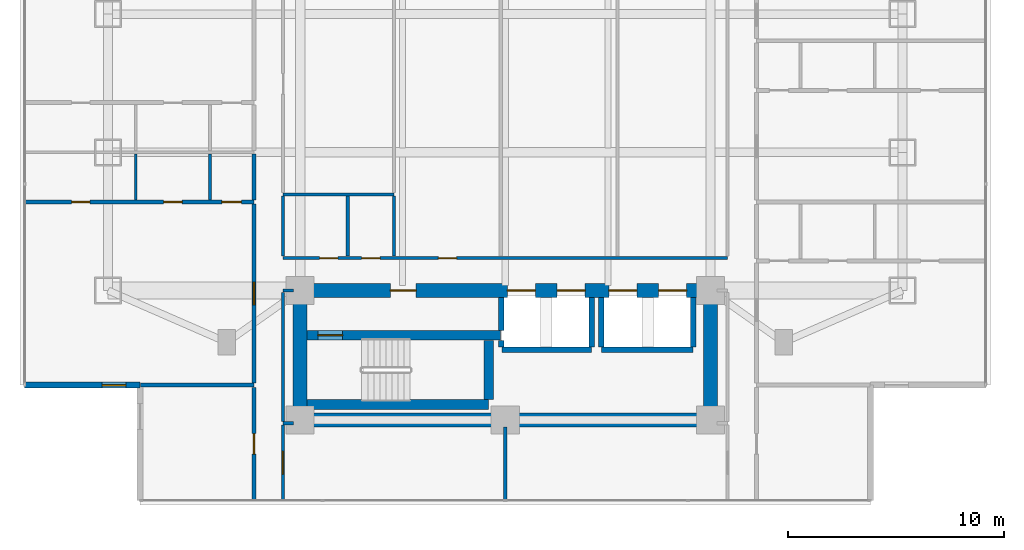
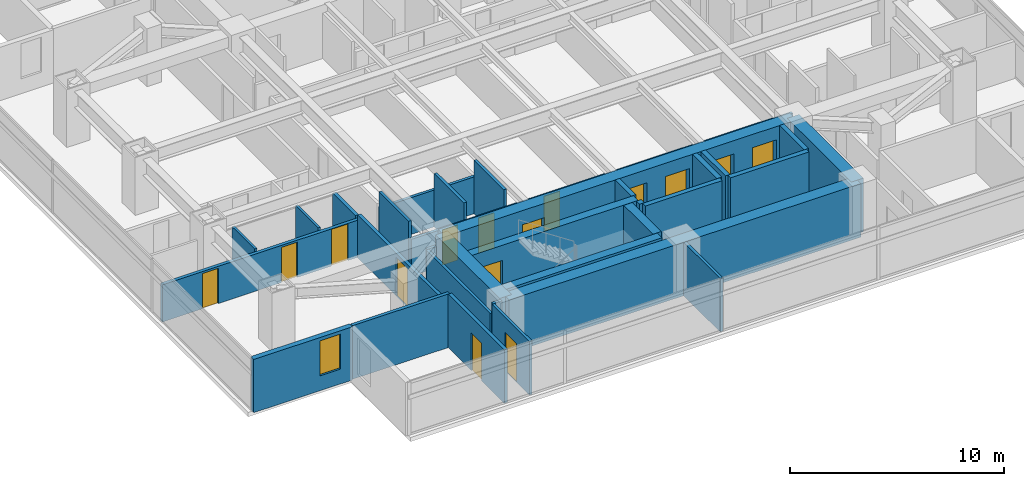
# One storey, part 13 of 24: 32 walls, 15 doors, 1 window, 16 openings.
"""IFC4 building model written with IfcOpenShell, lengths in metres."""

from ifc_helpers import new_model, si_unit, direction, frame, frame_2d, origin, place, context, subcontext, project, spatial, rectangle, extrude, material, layer, layer_set, type_object, element, fill, save


model = new_model("IFC4")

# Units and contexts
model_context = context("Model", 3, precision=1e-05, world=origin(), true_north=direction((0.0, 1.0)))
body_context = subcontext(model_context, "Body", "Model", "MODEL_VIEW")
ifc_project = project(units=[si_unit("LENGTHUNIT", "METRE"), si_unit("AREAUNIT", "SQUARE_METRE"), si_unit("VOLUMEUNIT", "CUBIC_METRE"), si_unit("PLANEANGLEUNIT", "RADIAN"), si_unit("MASSUNIT", "GRAM", prefix="KILO")], contexts=[model_context])

# Site, building, storey
site_placement = place(None, origin())
site = spatial("IfcSite", under=ifc_project, at=site_placement, CompositionType="ELEMENT")
building_placement = place(site_placement, origin())
building = spatial("IfcBuilding", under=site, at=building_placement, Name="Mirazonda Arch Towers", CompositionType="ELEMENT")
storey_placement = place(building_placement, frame((0.0, 0.0, 71.89990234375)))
storey = spatial("IfcBuildingStorey", under=building, at=storey_placement, Name="L20", CompositionType="ELEMENT", Elevation=71.89990234375)

# Wall
ifc_material_1 = material(Name="Concrete C50/60", Category="concrete")
ifc_layer_1 = layer(ifc_material_1, 0.449951171875, Name="WALL-CORE-450")
ifc_layer_set_1 = layer_set([ifc_layer_1], Name="Concrete C50/60")
wall_type_1 = type_object("IfcWallType", Name="WALL-CORE-450", PredefinedType="SHEAR", material=ifc_layer_set_1)
wall_1_placement = place(storey_placement, frame((11.320068359375, 13.1201171875, 0.0), z_axis=(0.0, 0.0, 1.0), x_axis=(1.0, 0.0, 0.0)))
element("IfcWall", 1, at=wall_1_placement, inside=storey, type_object=wall_type_1, Name="L20 Stair Core Shear Wall 003", PredefinedType="SHEAR", context=body_context, shape_type="SweptSolid", body=[
    extrude(rectangle(XDim=8.409912109375, YDim=0.449951171875, at=frame_2d((4.205078125, 0.0))), origin(), (0.0, 0.0, 1.0), 3.06005859375),
])

# Wall, opening, door
wall_2_placement = place(storey_placement, frame((11.320068359375, 16.320068359375, 0.0), z_axis=(0.0, 0.0, 1.0), x_axis=(1.0, 0.0, 0.0)))
wall_2 = element("IfcWall", 2, at=wall_2_placement, inside=storey, type_object=wall_type_1, Name="L20 Stair Core Shear Wall 008", PredefinedType="SHEAR", context=body_context, shape_type="SweptSolid", body=[
    extrude(rectangle(XDim=8.9599609375, YDim=0.449951171875, at=frame_2d((4.47998046875, 0.0))), origin(), (0.0, 0.0, 1.0), 3.06005859375),
])
opening_1_placement = place(wall_2_placement, frame((0.4951171875, 0.0, 0.0)))
opening_1 = element("IfcOpeningElement", 3, at=opening_1_placement, cuts=wall_2, Name="Opening DR-135", PredefinedType="OPENING", context=body_context, shape_type="SweptSolid", body=[
    extrude(rectangle(XDim=1.14990234375, YDim=2.199951171875, at=frame_2d((0.574951171875, 1.10009765625))), frame((0.0, 0.23486328125, 0.0), z_axis=(0.0, -1.0, 0.0), x_axis=(1.0, 0.0, 0.0)), (0.0, 0.0, 1.0), 0.469970703125),
])
ifc_material_2 = material(Name="Architectural Brushed Steel S355", Category="steel")
door_type_1 = type_object("IfcDoorType", Name="DOOR-STAIR-FD90-1150", OperationType="NOTDEFINED", PredefinedType="DOOR", material=ifc_material_2)
door_1_placement = place(opening_1_placement, origin())
door_1 = element("IfcDoor", 4, at=door_1_placement, inside=storey, type_object=door_type_1, Name="L20 Protected Exit Stair South Door", OperationType="SINGLE_SWING_LEFT", OverallHeight=2.199951171875, OverallWidth=1.14990234375, PredefinedType="DOOR", context=body_context, shape_type="SweptSolid", body=[
    extrude(rectangle(XDim=1.14990234375, YDim=2.199951171875, at=frame_2d((0.574951171875, 1.10009765625))), frame((0.0, 0.02490234375, 0.0), z_axis=(0.0, -1.0, 0.0), x_axis=(1.0, 0.0, 0.0)), (0.0, 0.0, 1.0), 0.050048828125),
])
fill(opening_1, door_1)

# Walls
wall_3_placement = place(storey_placement, frame((19.72998046875, 13.35498046875, 0.0), z_axis=(0.0, 0.0, 1.0), x_axis=(0.0, 1.0, 0.0)))
element("IfcWall", 5, at=wall_3_placement, inside=storey, type_object=wall_type_1, Name="L20 Stair Core Shear Wall 080", PredefinedType="SHEAR", context=body_context, shape_type="SweptSolid", body=[
    extrude(rectangle(XDim=2.72998046875, YDim=0.449951171875, at=frame_2d((1.364990234375, 0.0))), origin(), (0.0, 0.0, 1.0), 3.06005859375),
])
ifc_material_3 = material(Name="Concrete C60/75", Category="concrete")
ifc_layer_2 = layer(ifc_material_3, 0.64990234375, Name="WALL-CORE-650")
ifc_layer_set_2 = layer_set([ifc_layer_2], Name="Concrete C60/75")
wall_type_2 = type_object("IfcWallType", Name="WALL-CORE-650", PredefinedType="SHEAR", material=ifc_layer_set_2)
wall_4_placement = place(storey_placement, frame((11.0, 12.39990234375, 0.0), z_axis=(0.0, 0.0, 1.0), x_axis=(1.0, 0.0, 0.0)))
element("IfcWall", 6, at=wall_4_placement, inside=storey, type_object=wall_type_2, Name="L20 T1S-S Core Shear Wall", PredefinedType="SHEAR", context=body_context, shape_type="SweptSolid", body=[
    extrude(rectangle(XDim=19.0, YDim=0.64990234375, at=frame_2d((9.5, 0.0))), origin(), (0.0, 0.0, 1.0), 3.06005859375),
])
for number, where, z_axis, x_axis, name in (
    (7, (11.0, 12.39990234375, 0.0), (0.0, 0.0, 1.0), (0.0, 1.0, 0.0), "L20 T1S-W Core Shear Wall"),
    (8, (30.0, 12.39990234375, 0.0), (0.0, 0.0, 1.0), (0.0, 1.0, 0.0), "L20 T1S-E Core Shear Wall"),
):
    element("IfcWall", number, at=place(storey_placement, frame(where, z_axis=z_axis, x_axis=x_axis)), inside=storey, type_object=wall_type_2, Name=name, PredefinedType="SHEAR", context=body_context, shape_type="SweptSolid", body=[
        extrude(rectangle(XDim=6.0, YDim=0.64990234375, at=frame_2d((3.0, 0.0))), origin(), (0.0, 0.0, 1.0), 3.06005859375),
    ])

# Wall, openings, doors
wall_5_placement = place(storey_placement, frame((11.0, 18.39990234375, 0.0), z_axis=(0.0, 0.0, 1.0), x_axis=(1.0, 0.0, 0.0)))
wall_5 = element("IfcWall", 9, at=wall_5_placement, inside=storey, type_object=wall_type_2, Name="L20 T1S-N Core Shear Wall", PredefinedType="SHEAR", context=body_context, shape_type="SweptSolid", body=[
    extrude(rectangle(XDim=19.0, YDim=0.64990234375, at=frame_2d((9.5, 0.0))), origin(), (0.0, 0.0, 1.0), 3.06005859375),
])
opening_2_placement = place(wall_5_placement, frame((4.175048828125, 0.0, 0.0)))
opening_2 = element("IfcOpeningElement", 10, at=opening_2_placement, cuts=wall_5, Name="Opening DR-117", PredefinedType="OPENING", context=body_context, shape_type="SweptSolid", body=[
    extrude(rectangle(XDim=1.199951171875, YDim=2.25, at=frame_2d((0.60009765625, 1.125))), frame((0.0, 0.3349609375, 0.0), z_axis=(0.0, -1.0, 0.0), x_axis=(1.0, 0.0, 0.0)), (0.0, 0.0, 1.0), 0.669921875),
])
opening_3_placement = place(wall_5_placement, frame((9.60009765625, 0.0, 0.0)))
opening_3 = element("IfcOpeningElement", 11, at=opening_3_placement, cuts=wall_5, Name="Opening LD-111", PredefinedType="OPENING", context=body_context, shape_type="SweptSolid", body=[
    extrude(rectangle(XDim=1.300048828125, YDim=2.300048828125, at=frame_2d((0.64990234375, 1.14990234375))), frame((0.0, 0.3349609375, 0.0), z_axis=(0.0, -1.0, 0.0), x_axis=(1.0, 0.0, 0.0)), (0.0, 0.0, 1.0), 0.669921875),
])
opening_4_placement = place(wall_5_placement, frame((11.89990234375, 0.0, 0.0)))
opening_4 = element("IfcOpeningElement", 12, at=opening_4_placement, cuts=wall_5, Name="Opening LD-111", PredefinedType="OPENING", context=body_context, shape_type="SweptSolid", body=[
    extrude(rectangle(XDim=1.300048828125, YDim=2.300048828125, at=frame_2d((0.64990234375, 1.14990234375))), frame((0.0, 0.3349609375, 0.0), z_axis=(0.0, -1.0, 0.0), x_axis=(1.0, 0.0, 0.0)), (0.0, 0.0, 1.0), 0.669921875),
])
opening_5_placement = place(wall_5_placement, frame((14.300048828125, 0.0, 0.0)))
opening_5 = element("IfcOpeningElement", 13, at=opening_5_placement, cuts=wall_5, Name="Opening LD-111", PredefinedType="OPENING", context=body_context, shape_type="SweptSolid", body=[
    extrude(rectangle(XDim=1.300048828125, YDim=2.300048828125, at=frame_2d((0.64990234375, 1.14990234375))), frame((0.0, 0.3349609375, 0.0), z_axis=(0.0, -1.0, 0.0), x_axis=(1.0, 0.0, 0.0)), (0.0, 0.0, 1.0), 0.669921875),
])
opening_6_placement = place(wall_5_placement, frame((16.60009765625, 0.0, 0.0)))
opening_6 = element("IfcOpeningElement", 14, at=opening_6_placement, cuts=wall_5, Name="Opening LD-111", PredefinedType="OPENING", context=body_context, shape_type="SweptSolid", body=[
    extrude(rectangle(XDim=1.300048828125, YDim=2.300048828125, at=frame_2d((0.64990234375, 1.14990234375))), frame((0.0, 0.3349609375, 0.0), z_axis=(0.0, -1.0, 0.0), x_axis=(1.0, 0.0, 0.0)), (0.0, 0.0, 1.0), 0.669921875),
])
door_type_2 = type_object("IfcDoorType", Name="DOOR-FFL-FD90-1200", OperationType="NOTDEFINED", PredefinedType="DOOR", material=ifc_material_2)
door_2_placement = place(opening_2_placement, origin())
door_2 = element("IfcDoor", 15, at=door_2_placement, inside=storey, type_object=door_type_2, Name="L20 South Core Stair & Lift Lobby Door", OperationType="SINGLE_SWING_RIGHT", OverallHeight=2.25, OverallWidth=1.199951171875, PredefinedType="DOOR", context=body_context, shape_type="SweptSolid", body=[
    extrude(rectangle(XDim=1.199951171875, YDim=2.25, at=frame_2d((0.60009765625, 1.125))), frame((0.0, 0.02490234375, 0.0), z_axis=(0.0, -1.0, 0.0), x_axis=(1.0, 0.0, 0.0)), (0.0, 0.0, 1.0), 0.050048828125),
])
fill(opening_2, door_2)
door_type_3 = type_object("IfcDoorType", Name="DOOR-LIFT-LAND-1300", OperationType="NOTDEFINED", PredefinedType="DOOR", material=ifc_material_2)
door_3_placement = place(opening_3_placement, origin())
door_3 = element("IfcDoor", 16, at=door_3_placement, inside=storey, type_object=door_type_3, Name="L20 Lift Landing Sliding Door PL-T1M1", OperationType="DOUBLE_DOOR_SLIDING", OverallHeight=2.300048828125, OverallWidth=1.300048828125, PredefinedType="DOOR", context=body_context, shape_type="SweptSolid", body=[
    extrude(rectangle(XDim=1.300048828125, YDim=2.300048828125, at=frame_2d((0.64990234375, 1.14990234375))), frame((0.0, 0.02490234375, 0.0), z_axis=(0.0, -1.0, 0.0), x_axis=(1.0, 0.0, 0.0)), (0.0, 0.0, 1.0), 0.050048828125),
])
fill(opening_3, door_3)
door_4_placement = place(opening_4_placement, origin())
door_4 = element("IfcDoor", 17, at=door_4_placement, inside=storey, type_object=door_type_3, Name="L20 Lift Landing Sliding Door PL-T1M2", OperationType="DOUBLE_DOOR_SLIDING", OverallHeight=2.300048828125, OverallWidth=1.300048828125, PredefinedType="DOOR", context=body_context, shape_type="SweptSolid", body=[
    extrude(rectangle(XDim=1.300048828125, YDim=2.300048828125, at=frame_2d((0.64990234375, 1.14990234375))), frame((0.0, 0.02490234375, 0.0), z_axis=(0.0, -1.0, 0.0), x_axis=(1.0, 0.0, 0.0)), (0.0, 0.0, 1.0), 0.050048828125),
])
fill(opening_4, door_4)
door_5_placement = place(opening_5_placement, origin())
door_5 = element("IfcDoor", 18, at=door_5_placement, inside=storey, type_object=door_type_3, Name="L20 Lift Landing Sliding Door PL-T1H1", OperationType="DOUBLE_DOOR_SLIDING", OverallHeight=2.300048828125, OverallWidth=1.300048828125, PredefinedType="DOOR", context=body_context, shape_type="SweptSolid", body=[
    extrude(rectangle(XDim=1.300048828125, YDim=2.300048828125, at=frame_2d((0.64990234375, 1.14990234375))), frame((0.0, 0.02490234375, 0.0), z_axis=(0.0, -1.0, 0.0), x_axis=(1.0, 0.0, 0.0)), (0.0, 0.0, 1.0), 0.050048828125),
])
fill(opening_5, door_5)
door_6_placement = place(opening_6_placement, origin())
door_6 = element("IfcDoor", 19, at=door_6_placement, inside=storey, type_object=door_type_3, Name="L20 Lift Landing Sliding Door PL-T1H2", OperationType="DOUBLE_DOOR_SLIDING", OverallHeight=2.300048828125, OverallWidth=1.300048828125, PredefinedType="DOOR", context=body_context, shape_type="SweptSolid", body=[
    extrude(rectangle(XDim=1.300048828125, YDim=2.300048828125, at=frame_2d((0.64990234375, 1.14990234375))), frame((0.0, 0.02490234375, 0.0), z_axis=(0.0, -1.0, 0.0), x_axis=(1.0, 0.0, 0.0)), (0.0, 0.0, 1.0), 0.050048828125),
])
fill(opening_6, door_6)

# Wall, opening, window
ifc_material_4 = material(Name="Precast Concrete C40/50", Category="concrete")
ifc_layer_3 = layer(ifc_material_4, 0.280029296875, Name="WALL-EXT-WALL-280")
ifc_layer_set_3 = layer_set([ifc_layer_3], Name="Precast Concrete C40/50")
wall_type_3 = type_object("IfcWallType", Name="WALL-EXT-WALL-280", PredefinedType="SOLIDWALL", material=ifc_layer_set_3)
wall_6_placement = place(storey_placement, frame((-1.760009765625, 14.011962890625, 0.0), z_axis=(0.0, 0.0, 1.0), x_axis=(1.0, 0.0, 0.0)))
wall_6 = element("IfcWall", 20, at=wall_6_placement, inside=storey, type_object=wall_type_3, Name="L20 T1 Corner Notch Return Wall WL-L20-T1-CSW2", PredefinedType="SOLIDWALL", context=body_context, shape_type="SweptSolid", body=[
    extrude(rectangle(XDim=5.340087890625, YDim=0.280029296875, at=frame_2d((2.669921875, 0.0))), origin(), (0.0, 0.0, 1.0), 3.0400390625),
])
opening_7_placement = place(wall_6_placement, frame((3.590087890625, 0.0, 0.85009765625)))
opening_7 = element("IfcOpeningElement", 21, at=opening_7_placement, cuts=wall_6, Name="Opening WN-108", PredefinedType="OPENING", context=body_context, shape_type="SweptSolid", body=[
    extrude(rectangle(XDim=1.10009765625, YDim=2.0, at=frame_2d((0.550048828125, 1.0))), frame((0.0, 0.14990234375, 0.0), z_axis=(0.0, -1.0, 0.0), x_axis=(1.0, 0.0, 0.0)), (0.0, 0.0, 1.0), 0.300048828125),
])
ifc_material_5 = material(Name="Insulated Low-E Solar Glass", Category="glass")
window_type = type_object("IfcWindowType", Name="WIN-NOTCH-1100x2000", PartitioningType="SINGLE_PANEL", PredefinedType="WINDOW", material=ifc_material_5)
window_placement = place(opening_7_placement, origin())
window = element("IfcWindow", 22, at=window_placement, inside=storey, type_object=window_type, Name="L20 Punched Facade Window WN-L20-T1-CSW2", OverallHeight=2.0, OverallWidth=1.10009765625, PartitioningType="SINGLE_PANEL", PredefinedType="WINDOW", context=body_context, shape_type="SweptSolid", body=[
    extrude(rectangle(XDim=1.10009765625, YDim=2.0, at=frame_2d((0.550048828125, 1.0))), frame((0.0, 0.030029296875, 0.0), z_axis=(0.0, -1.0, 0.0), x_axis=(1.0, 0.0, 0.0)), (0.0, 0.0, 1.0), 0.06005859375),
])
fill(opening_7, window)

# Walls
ifc_material_6 = material(Name="Fire-Rated Gypsum Stud Partition")
ifc_layer_4 = layer(ifc_material_6, 0.14990234375, Name="WALL-PART-CORR-150")
ifc_layer_set_4 = layer_set([ifc_layer_4], Name="Fire-Rated Gypsum Stud Partition")
wall_type_4 = type_object("IfcWallType", Name="WALL-PART-CORR-150", PredefinedType="PARTITIONING", material=ifc_layer_set_4)
wall_7_placement = place(storey_placement, frame((10.199951171875, 12.25, 0.0), z_axis=(0.0, 0.0, 1.0), x_axis=(1.0, 0.0, 0.0)))
element("IfcWall", 23, at=wall_7_placement, inside=storey, type_object=wall_type_4, Name="L20 Interior Partition 001", PredefinedType="PARTITIONING", context=body_context, shape_type="SweptSolid", body=[
    extrude(rectangle(XDim=0.47998046875, YDim=0.14990234375, at=frame_2d((0.239990234375, 0.0))), origin(), (0.0, 0.0, 1.0), 3.06005859375),
])
wall_8_placement = place(storey_placement, frame((10.199951171875, 18.39990234375, 0.0), z_axis=(0.0, 0.0, 1.0), x_axis=(1.0, 0.0, 0.0)))
element("IfcWall", 24, at=wall_8_placement, inside=storey, type_object=wall_type_4, Name="L20 Interior Partition 012", PredefinedType="PARTITIONING", context=body_context, shape_type="SweptSolid", body=[
    extrude(rectangle(XDim=0.47998046875, YDim=0.14990234375, at=frame_2d((0.239990234375, 0.0))), origin(), (0.0, 0.0, 1.0), 2.43603515625),
])

# Wall, openings, doors
wall_9_placement = place(storey_placement, frame((10.199951171875, 19.89990234375, 0.0), z_axis=(0.0, 0.0, 1.0), x_axis=(1.0, 0.0, 0.0)))
wall_9 = element("IfcWall", 25, at=wall_9_placement, inside=storey, type_object=wall_type_4, Name="L20 Interior Partition 015", PredefinedType="PARTITIONING", context=body_context, shape_type="SweptSolid", body=[
    extrude(rectangle(XDim=20.60009765625, YDim=0.14990234375, at=frame_2d((10.300048828125, 0.0))), origin(), (0.0, 0.0, 1.0), 2.10400390625),
])
opening_8_placement = place(wall_9_placement, frame((1.695068359375, 0.0, 0.0)))
opening_8 = element("IfcOpeningElement", 26, at=opening_8_placement, cuts=wall_9, Name="Opening DR-128", PredefinedType="OPENING", context=body_context, shape_type="SweptSolid", body=[
    extrude(rectangle(XDim=0.85009765625, YDim=2.010009765625, at=frame_2d((0.425048828125, 1.0048828125))), frame((0.0, 0.0849609375, 0.0), z_axis=(0.0, -1.0, 0.0), x_axis=(1.0, 0.0, 0.0)), (0.0, 0.0, 1.0), 0.169921875),
])
opening_9_placement = place(wall_9_placement, frame((3.64990234375, 0.0, 0.0)))
opening_9 = element("IfcOpeningElement", 27, at=opening_9_placement, cuts=wall_9, Name="Opening DR-128", PredefinedType="OPENING", context=body_context, shape_type="SweptSolid", body=[
    extrude(rectangle(XDim=0.85009765625, YDim=2.010009765625, at=frame_2d((0.425048828125, 1.0048828125))), frame((0.0, 0.0849609375, 0.0), z_axis=(0.0, -1.0, 0.0), x_axis=(1.0, 0.0, 0.0)), (0.0, 0.0, 1.0), 0.169921875),
])
opening_10_placement = place(wall_9_placement, frame((7.197021484375, 0.0, 0.0)))
opening_10 = element("IfcOpeningElement", 28, at=opening_10_placement, cuts=wall_9, Name="Opening DR-128", PredefinedType="OPENING", context=body_context, shape_type="SweptSolid", body=[
    extrude(rectangle(XDim=0.85009765625, YDim=2.010009765625, at=frame_2d((0.425048828125, 1.0048828125))), frame((0.0, 0.0849609375, 0.0), z_axis=(0.0, -1.0, 0.0), x_axis=(1.0, 0.0, 0.0)), (0.0, 0.0, 1.0), 0.169921875),
])
door_type_4 = type_object("IfcDoorType", Name="DOOR-RISER-FD60-850", OperationType="NOTDEFINED", PredefinedType="DOOR", material=ifc_material_2)
door_7_placement = place(opening_8_placement, origin())
door_7 = element("IfcDoor", 29, at=door_7_placement, inside=storey, type_object=door_type_4, Name="L20 Common Accessible WC Door", OperationType="SINGLE_SWING_RIGHT", OverallHeight=2.010009765625, OverallWidth=0.85009765625, PredefinedType="DOOR", context=body_context, shape_type="SweptSolid", body=[
    extrude(rectangle(XDim=0.85009765625, YDim=2.010009765625, at=frame_2d((0.425048828125, 1.0048828125))), frame((0.0, 0.02490234375, 0.0), z_axis=(0.0, -1.0, 0.0), x_axis=(1.0, 0.0, 0.0)), (0.0, 0.0, 1.0), 0.050048828125),
])
fill(opening_8, door_7)
door_8_placement = place(opening_9_placement, origin())
door_8 = element("IfcDoor", 30, at=door_8_placement, inside=storey, type_object=door_type_4, Name="L20 L20 West Courtyard Study Door", OperationType="SINGLE_SWING_LEFT", OverallHeight=2.010009765625, OverallWidth=0.85009765625, PredefinedType="DOOR", context=body_context, shape_type="SweptSolid", body=[
    extrude(rectangle(XDim=0.85009765625, YDim=2.010009765625, at=frame_2d((0.425048828125, 1.0048828125))), frame((0.0, 0.02490234375, 0.0), z_axis=(0.0, -1.0, 0.0), x_axis=(1.0, 0.0, 0.0)), (0.0, 0.0, 1.0), 0.050048828125),
])
fill(opening_9, door_8)
door_9_placement = place(opening_10_placement, origin())
door_9 = element("IfcDoor", 31, at=door_9_placement, inside=storey, type_object=door_type_4, Name="L20 Residents Private Library Door", OperationType="SINGLE_SWING_LEFT", OverallHeight=2.010009765625, OverallWidth=0.85009765625, PredefinedType="DOOR", context=body_context, shape_type="SweptSolid", body=[
    extrude(rectangle(XDim=0.85009765625, YDim=2.010009765625, at=frame_2d((0.425048828125, 1.0048828125))), frame((0.0, 0.02490234375, 0.0), z_axis=(0.0, -1.0, 0.0), x_axis=(1.0, 0.0, 0.0)), (0.0, 0.0, 1.0), 0.050048828125),
])
fill(opening_10, door_9)

# Wall
wall_10_placement = place(storey_placement, frame((10.199951171875, 22.85009765625, 0.0), z_axis=(0.0, 0.0, 1.0), x_axis=(1.0, 0.0, 0.0)))
element("IfcWall", 32, at=wall_10_placement, inside=storey, type_object=wall_type_4, Name="L20 Interior Partition 024", PredefinedType="PARTITIONING", context=body_context, shape_type="SweptSolid", body=[
    extrude(rectangle(XDim=5.150146484375, YDim=0.14990234375, at=frame_2d((2.5751953125, 0.0))), origin(), (0.0, 0.0, 1.0), 2.10400390625),
])

# Wall, opening, door
wall_11_placement = place(storey_placement, frame((10.199951171875, 8.672119140625, 0.0), z_axis=(0.0, 0.0, 1.0), x_axis=(0.0, 1.0, 0.0)))
wall_11 = element("IfcWall", 33, at=wall_11_placement, inside=storey, type_object=wall_type_4, Name="L20 Interior Partition 068", PredefinedType="PARTITIONING", context=body_context, shape_type="SweptSolid", body=[
    extrude(rectangle(XDim=3.492919921875, YDim=0.14990234375, at=frame_2d((1.74658203125, 0.0))), origin(), (0.0, 0.0, 1.0), 3.06005859375),
])
opening_11_placement = place(wall_11_placement, frame((1.221435546875, 0.0, 0.0)))
opening_11 = element("IfcOpeningElement", 34, at=opening_11_placement, cuts=wall_11, Name="Opening DR-121", PredefinedType="OPENING", context=body_context, shape_type="SweptSolid", body=[
    extrude(rectangle(XDim=1.050048828125, YDim=2.199951171875, at=frame_2d((0.52490234375, 1.10009765625))), frame((0.0, 0.0849609375, 0.0), z_axis=(0.0, -1.0, 0.0), x_axis=(1.0, 0.0, 0.0)), (0.0, 0.0, 1.0), 0.169921875),
])
door_type_5 = type_object("IfcDoorType", Name="DOOR-SUITE-FD60-1050", OperationType="NOTDEFINED", PredefinedType="DOOR", material=ifc_material_2)
door_10_placement = place(opening_11_placement, origin())
door_10 = element("IfcDoor", 35, at=door_10_placement, inside=storey, type_object=door_type_5, Name="L20 South Panoramic Study West Door", OperationType="SINGLE_SWING_RIGHT", OverallHeight=2.199951171875, OverallWidth=1.050048828125, PredefinedType="DOOR", context=body_context, shape_type="SweptSolid", body=[
    extrude(rectangle(XDim=1.050048828125, YDim=2.199951171875, at=frame_2d((0.52490234375, 1.10009765625))), frame((0.0, 0.02490234375, 0.0), z_axis=(0.0, -1.0, 0.0), x_axis=(1.0, 0.0, 0.0)), (0.0, 0.0, 1.0), 0.050048828125),
])
fill(opening_11, door_10)

# Walls
wall_12_placement = place(storey_placement, frame((10.199951171875, 12.3349609375, 0.0), z_axis=(0.0, 0.0, 1.0), x_axis=(0.0, 1.0, 0.0)))
element("IfcWall", 36, at=wall_12_placement, inside=storey, type_object=wall_type_4, Name="L20 Interior Partition 069", PredefinedType="PARTITIONING", context=body_context, shape_type="SweptSolid", body=[
    extrude(rectangle(XDim=5.97998046875, YDim=0.14990234375, at=frame_2d((2.989990234375, 0.0))), origin(), (0.0, 0.0, 1.0), 2.43603515625),
])
for number, where, z_axis, x_axis, name in (
    (37, (10.206787109375, 19.985107421875, 0.0), (0.0, 0.0, 1.0), (0.0, 1.0, 0.0), "L20 Interior Partition 070"),
    (38, (13.199951171875, 19.985107421875, 0.0), (0.0, 0.0, 1.0), (0.0, 1.0, 0.0), "L20 Interior Partition 075"),
    (39, (15.35009765625, 19.985107421875, 0.0), (0.0, 0.0, 1.0), (0.0, 1.0, 0.0), "L20 Interior Partition 076"),
):
    element("IfcWall", number, at=place(storey_placement, frame(where, z_axis=z_axis, x_axis=x_axis)), inside=storey, type_object=wall_type_4, Name=name, PredefinedType="PARTITIONING", context=body_context, shape_type="SweptSolid", body=[
        extrude(rectangle(XDim=2.77978515625, YDim=0.14990234375, at=frame_2d((1.389892578125, 0.0))), origin(), (0.0, 0.0, 1.0), 3.06005859375),
    ])
wall_13_placement = place(storey_placement, frame((20.5, 8.672119140625, 0.0), z_axis=(0.0, 0.0, 1.0), x_axis=(0.0, 1.0, 0.0)))
element("IfcWall", 40, at=wall_13_placement, inside=storey, type_object=wall_type_4, Name="L20 Interior Partition 086", PredefinedType="PARTITIONING", context=body_context, shape_type="SweptSolid", body=[
    extrude(rectangle(XDim=3.407958984375, YDim=0.14990234375, at=frame_2d((1.7041015625, 0.0))), origin(), (0.0, 0.0, 1.0), 3.06005859375),
])
ifc_material_7 = material(Name="Fire-Rated Gypsum Twin-Stud Assembly")
ifc_layer_5 = layer(ifc_material_7, 0.179931640625, Name="WALL-PART-DEMISE-180")
ifc_layer_set_5 = layer_set([ifc_layer_5], Name="Fire-Rated Gypsum Twin-Stud Assembly")
wall_type_5 = type_object("IfcWallType", Name="WALL-PART-DEMISE-180", PredefinedType="PARTITIONING", material=ifc_layer_set_5)
wall_14_placement = place(storey_placement, frame((3.60009765625, 14.011962890625, 0.0), z_axis=(0.0, 0.0, 1.0), x_axis=(1.0, 0.0, 0.0)))
element("IfcWall", 41, at=wall_14_placement, inside=storey, type_object=wall_type_5, Name="L20 Interior Partition 004", PredefinedType="PARTITIONING", context=body_context, shape_type="SweptSolid", body=[
    extrude(rectangle(XDim=5.260009765625, YDim=0.179931640625, at=frame_2d((2.6298828125, 0.0))), origin(), (0.0, 0.0, 1.0), 3.06005859375),
])

# Wall, openings, doors
wall_15_placement = place(storey_placement, frame((-1.760009765625, 22.5, 0.0), z_axis=(0.0, 0.0, 1.0), x_axis=(1.0, 0.0, 0.0)))
wall_15 = element("IfcWall", 42, at=wall_15_placement, inside=storey, type_object=wall_type_5, Name="L20 Interior Partition 021", PredefinedType="PARTITIONING", context=body_context, shape_type="SweptSolid", body=[
    extrude(rectangle(XDim=10.6201171875, YDim=0.179931640625, at=frame_2d((5.31005859375, 0.0))), origin(), (0.0, 0.0, 1.0), 2.125),
])
opening_12_placement = place(wall_15_placement, frame((2.1689453125, 0.0, 0.0)))
opening_12 = element("IfcOpeningElement", 43, at=opening_12_placement, cuts=wall_15, Name="Opening DR-128", PredefinedType="OPENING", context=body_context, shape_type="SweptSolid", body=[
    extrude(rectangle(XDim=0.85009765625, YDim=2.010009765625, at=frame_2d((0.425048828125, 1.0048828125))), frame((0.0, 0.099853515625, 0.0), z_axis=(0.0, -1.0, 0.0), x_axis=(1.0, 0.0, 0.0)), (0.0, 0.0, 1.0), 0.199951171875),
])
opening_13_placement = place(wall_15_placement, frame((6.43896484375, 0.0, 0.0)))
opening_13 = element("IfcOpeningElement", 44, at=opening_13_placement, cuts=wall_15, Name="Opening DR-128", PredefinedType="OPENING", context=body_context, shape_type="SweptSolid", body=[
    extrude(rectangle(XDim=0.85009765625, YDim=2.010009765625, at=frame_2d((0.425048828125, 1.0048828125))), frame((0.0, 0.099853515625, 0.0), z_axis=(0.0, -1.0, 0.0), x_axis=(1.0, 0.0, 0.0)), (0.0, 0.0, 1.0), 0.199951171875),
])
opening_14_placement = place(wall_15_placement, frame((9.1298828125, 0.0, 0.0)))
opening_14 = element("IfcOpeningElement", 45, at=opening_14_placement, cuts=wall_15, Name="Opening DR-120", PredefinedType="OPENING", context=body_context, shape_type="SweptSolid", body=[
    extrude(rectangle(XDim=0.89990234375, YDim=2.10009765625, at=frame_2d((0.449951171875, 1.050048828125))), frame((0.0, 0.099853515625, 0.0), z_axis=(0.0, -1.0, 0.0), x_axis=(1.0, 0.0, 0.0)), (0.0, 0.0, 1.0), 0.199951171875),
])
door_11_placement = place(opening_12_placement, origin())
door_11 = element("IfcDoor", 46, at=door_11_placement, inside=storey, type_object=door_type_4, Name="L20 Residence 1 Principal Bedroom Door", OperationType="SINGLE_SWING_RIGHT", OverallHeight=2.010009765625, OverallWidth=0.85009765625, PredefinedType="DOOR", context=body_context, shape_type="SweptSolid", body=[
    extrude(rectangle(XDim=0.85009765625, YDim=2.010009765625, at=frame_2d((0.425048828125, 1.0048828125))), frame((0.0, 0.02490234375, 0.0), z_axis=(0.0, -1.0, 0.0), x_axis=(1.0, 0.0, 0.0)), (0.0, 0.0, 1.0), 0.050048828125),
])
fill(opening_12, door_11)
door_12_placement = place(opening_13_placement, origin())
door_12 = element("IfcDoor", 47, at=door_12_placement, inside=storey, type_object=door_type_4, Name="L20 Residence 1 Fitted Kitchen Door", OperationType="SINGLE_SWING_LEFT", OverallHeight=2.010009765625, OverallWidth=0.85009765625, PredefinedType="DOOR", context=body_context, shape_type="SweptSolid", body=[
    extrude(rectangle(XDim=0.85009765625, YDim=2.010009765625, at=frame_2d((0.425048828125, 1.0048828125))), frame((0.0, 0.02490234375, 0.0), z_axis=(0.0, -1.0, 0.0), x_axis=(1.0, 0.0, 0.0)), (0.0, 0.0, 1.0), 0.050048828125),
])
fill(opening_13, door_12)
door_type_6 = type_object("IfcDoorType", Name="DOOR-WC-900", OperationType="NOTDEFINED", PredefinedType="DOOR", material=ifc_material_2)
door_13_placement = place(opening_14_placement, origin())
door_13 = element("IfcDoor", 48, at=door_13_placement, inside=storey, type_object=door_type_6, Name="L20 Residence 1 Bathroom Door", OperationType="SINGLE_SWING_RIGHT", OverallHeight=2.10009765625, OverallWidth=0.89990234375, PredefinedType="DOOR", context=body_context, shape_type="SweptSolid", body=[
    extrude(rectangle(XDim=0.89990234375, YDim=2.10009765625, at=frame_2d((0.449951171875, 1.050048828125))), frame((0.0, 0.02490234375, 0.0), z_axis=(0.0, -1.0, 0.0), x_axis=(1.0, 0.0, 0.0)), (0.0, 0.0, 1.0), 0.050048828125),
])
fill(opening_14, door_13)

# Wall, opening, door
wall_16_placement = place(storey_placement, frame((8.860107421875, 8.672119140625, 0.0), z_axis=(0.0, 0.0, 1.0), x_axis=(0.0, 1.0, 0.0)))
wall_16 = element("IfcWall", 49, at=wall_16_placement, inside=storey, type_object=wall_type_5, Name="L20 Interior Partition 062", PredefinedType="PARTITIONING", context=body_context, shape_type="SweptSolid", body=[
    extrude(rectangle(XDim=5.239990234375, YDim=0.179931640625, at=frame_2d((2.6201171875, 0.0))), origin(), (0.0, 0.0, 1.0), 3.06005859375),
])
opening_15_placement = place(wall_16_placement, frame((2.14501953125, 0.0, 0.0)))
opening_15 = element("IfcOpeningElement", 50, at=opening_15_placement, cuts=wall_16, Name="Opening DR-104", PredefinedType="OPENING", context=body_context, shape_type="SweptSolid", body=[
    extrude(rectangle(XDim=0.949951171875, YDim=2.14990234375, at=frame_2d((0.47509765625, 1.074951171875))), frame((0.0, 0.099853515625, 0.0), z_axis=(0.0, -1.0, 0.0), x_axis=(1.0, 0.0, 0.0)), (0.0, 0.0, 1.0), 0.199951171875),
])
door_type_7 = type_object("IfcDoorType", Name="DOOR-ROOM-950", OperationType="NOTDEFINED", PredefinedType="DOOR", material=ifc_material_2)
door_14_placement = place(opening_15_placement, origin())
door_14 = element("IfcDoor", 51, at=door_14_placement, inside=storey, type_object=door_type_7, Name="L20 South Panoramic Study Alcove West Door", OperationType="SINGLE_SWING_RIGHT", OverallHeight=2.14990234375, OverallWidth=0.949951171875, PredefinedType="DOOR", context=body_context, shape_type="SweptSolid", body=[
    extrude(rectangle(XDim=0.949951171875, YDim=2.14990234375, at=frame_2d((0.47509765625, 1.074951171875))), frame((0.0, 0.02490234375, 0.0), z_axis=(0.0, -1.0, 0.0), x_axis=(1.0, 0.0, 0.0)), (0.0, 0.0, 1.0), 0.050048828125),
])
fill(opening_15, door_14)

wall_17_placement = place(storey_placement, frame((8.860107421875, 14.112060546875, 0.0), z_axis=(0.0, 0.0, 1.0), x_axis=(0.0, 1.0, 0.0)))
wall_17 = element("IfcWall", 52, at=wall_17_placement, inside=storey, type_object=wall_type_5, Name="L20 Interior Partition 063", PredefinedType="PARTITIONING", context=body_context, shape_type="SweptSolid", body=[
    extrude(rectangle(XDim=8.287841796875, YDim=0.179931640625, at=frame_2d((4.14404296875, 0.0))), origin(), (0.0, 0.0, 1.0), 2.43603515625),
])
opening_16_placement = place(wall_17_placement, frame((3.618896484375, 0.0, 0.0)))
opening_16 = element("IfcOpeningElement", 53, at=opening_16_placement, cuts=wall_17, Name="Opening DR-121", PredefinedType="OPENING", context=body_context, shape_type="SweptSolid", body=[
    extrude(rectangle(XDim=1.050048828125, YDim=2.199951171875, at=frame_2d((0.52490234375, 1.10009765625))), frame((0.0, 0.099853515625, 0.0), z_axis=(0.0, -1.0, 0.0), x_axis=(1.0, 0.0, 0.0)), (0.0, 0.0, 1.0), 0.199951171875),
])
door_15_placement = place(opening_16_placement, origin())
door_15 = element("IfcDoor", 54, at=door_15_placement, inside=storey, type_object=door_type_5, Name="L20 Penthouse Residence 1 Living & Dining Salon Door", OperationType="SINGLE_SWING_LEFT", OverallHeight=2.199951171875, OverallWidth=1.050048828125, PredefinedType="DOOR", context=body_context, shape_type="SweptSolid", body=[
    extrude(rectangle(XDim=1.050048828125, YDim=2.199951171875, at=frame_2d((0.52490234375, 1.10009765625))), frame((0.0, 0.02490234375, 0.0), z_axis=(0.0, -1.0, 0.0), x_axis=(1.0, 0.0, 0.0)), (0.0, 0.0, 1.0), 0.050048828125),
])
fill(opening_16, door_15)

# Walls
wall_18_placement = place(storey_placement, frame((8.860107421875, 22.60009765625, 0.0), z_axis=(0.0, 0.0, 1.0), x_axis=(0.0, 1.0, 0.0)))
element("IfcWall", 55, at=wall_18_placement, inside=storey, type_object=wall_type_5, Name="L20 Interior Partition 064", PredefinedType="PARTITIONING", context=body_context, shape_type="SweptSolid", body=[
    extrude(rectangle(XDim=2.12744140625, YDim=0.179931640625, at=frame_2d((1.063720703125, 0.0))), origin(), (0.0, 0.0, 1.0), 2.279052734375),
])
ifc_material_8 = material(Name="Acoustic Fire-Rated Gypsum Partition")
ifc_layer_6 = layer(ifc_material_8, 0.125, Name="WALL-PART-UNIT-125")
ifc_layer_set_6 = layer_set([ifc_layer_6], Name="Acoustic Fire-Rated Gypsum Partition")
wall_type_6 = type_object("IfcWallType", Name="WALL-PART-UNIT-125", PredefinedType="PARTITIONING", material=ifc_layer_set_6)
for number, where, z_axis, x_axis, name in (
    (56, (3.387939453125, 22.60009765625, 0.0), (0.0, 0.0, 1.0), (0.0, 1.0, 0.0), "L20 Interior Partition 058"),
    (57, (6.820068359375, 22.60009765625, 0.0), (0.0, 0.0, 1.0), (0.0, 1.0, 0.0), "L20 Interior Partition 060"),
):
    element("IfcWall", number, at=place(storey_placement, frame(where, z_axis=z_axis, x_axis=x_axis)), inside=storey, type_object=wall_type_6, Name=name, PredefinedType="PARTITIONING", context=body_context, shape_type="SweptSolid", body=[
        extrude(rectangle(XDim=2.12744140625, YDim=0.125, at=frame_2d((1.063720703125, 0.0))), origin(), (0.0, 0.0, 1.0), 2.279052734375),
    ])
ifc_material_9 = material(Name="Concrete C40/50", Category="concrete")
ifc_layer_7 = layer(ifc_material_9, 0.25, Name="WALL-SHAFT-250")
ifc_layer_set_7 = layer_set([ifc_layer_7], Name="Concrete C40/50")
wall_type_7 = type_object("IfcWallType", Name="WALL-SHAFT-250", PredefinedType="SOLIDWALL", material=ifc_layer_set_7)
wall_19_placement = place(storey_placement, frame((20.35009765625, 15.64990234375, 0.0), z_axis=(0.0, 0.0, 1.0), x_axis=(1.0, 0.0, 0.0)))
element("IfcWall", 58, at=wall_19_placement, inside=storey, type_object=wall_type_7, Name="L20 Interior Partition 006", PredefinedType="SOLIDWALL", context=body_context, shape_type="SweptSolid", body=[
    extrude(rectangle(XDim=4.14990234375, YDim=0.25, at=frame_2d((2.074951171875, 0.0))), origin(), (0.0, 0.0, 1.0), 3.06005859375),
])
wall_20_placement = place(storey_placement, frame((24.949951171875, 15.64990234375, 0.0), z_axis=(0.0, 0.0, 1.0), x_axis=(1.0, 0.0, 0.0)))
element("IfcWall", 59, at=wall_20_placement, inside=storey, type_object=wall_type_7, Name="L20 Interior Partition 007", PredefinedType="SOLIDWALL", context=body_context, shape_type="SweptSolid", body=[
    extrude(rectangle(XDim=4.25, YDim=0.25, at=frame_2d((2.125, 0.0))), origin(), (0.0, 0.0, 1.0), 3.06005859375),
])
wall_21_placement = place(storey_placement, frame((20.31494140625, 15.784912109375, 0.0), z_axis=(0.0, 0.0, 1.0), x_axis=(0.0, 1.0, 0.0)))
element("IfcWall", 60, at=wall_21_placement, inside=storey, type_object=wall_type_7, Name="L20 Interior Partition 082", PredefinedType="SOLIDWALL", context=body_context, shape_type="SweptSolid", body=[
    extrude(rectangle(XDim=0.300048828125, YDim=0.25, at=frame_2d((0.14990234375, 0.0))), origin(), (0.0, 0.0, 1.0), 3.06005859375),
])
wall_22_placement = place(storey_placement, frame((20.31494140625, 16.554931640625, 0.0), z_axis=(0.0, 0.0, 1.0), x_axis=(0.0, 1.0, 0.0)))
element("IfcWall", 61, at=wall_22_placement, inside=storey, type_object=wall_type_7, Name="L20 Interior Partition 083", PredefinedType="SOLIDWALL", context=body_context, shape_type="SweptSolid", body=[
    extrude(rectangle(XDim=1.525146484375, YDim=0.25, at=frame_2d((0.7626953125, 0.0))), origin(), (0.0, 0.0, 1.0), 3.06005859375),
])
for number, where, z_axis, x_axis, name in (
    (62, (24.5, 15.784912109375, 0.0), (0.0, 0.0, 1.0), (0.0, 1.0, 0.0), "L20 Interior Partition 088"),
    (63, (24.949951171875, 15.784912109375, 0.0), (0.0, 0.0, 1.0), (0.0, 1.0, 0.0), "L20 Interior Partition 090"),
    (64, (29.199951171875, 15.784912109375, 0.0), (0.0, 0.0, 1.0), (0.0, 1.0, 0.0), "L20 Interior Partition 094"),
):
    element("IfcWall", number, at=place(storey_placement, frame(where, z_axis=z_axis, x_axis=x_axis)), inside=storey, type_object=wall_type_7, Name=name, PredefinedType="SOLIDWALL", context=body_context, shape_type="SweptSolid", body=[
        extrude(rectangle(XDim=2.295166015625, YDim=0.25, at=frame_2d((1.1474609375, 0.0))), origin(), (0.0, 0.0, 1.0), 3.06005859375),
    ])

save(model, "model.ifc")
